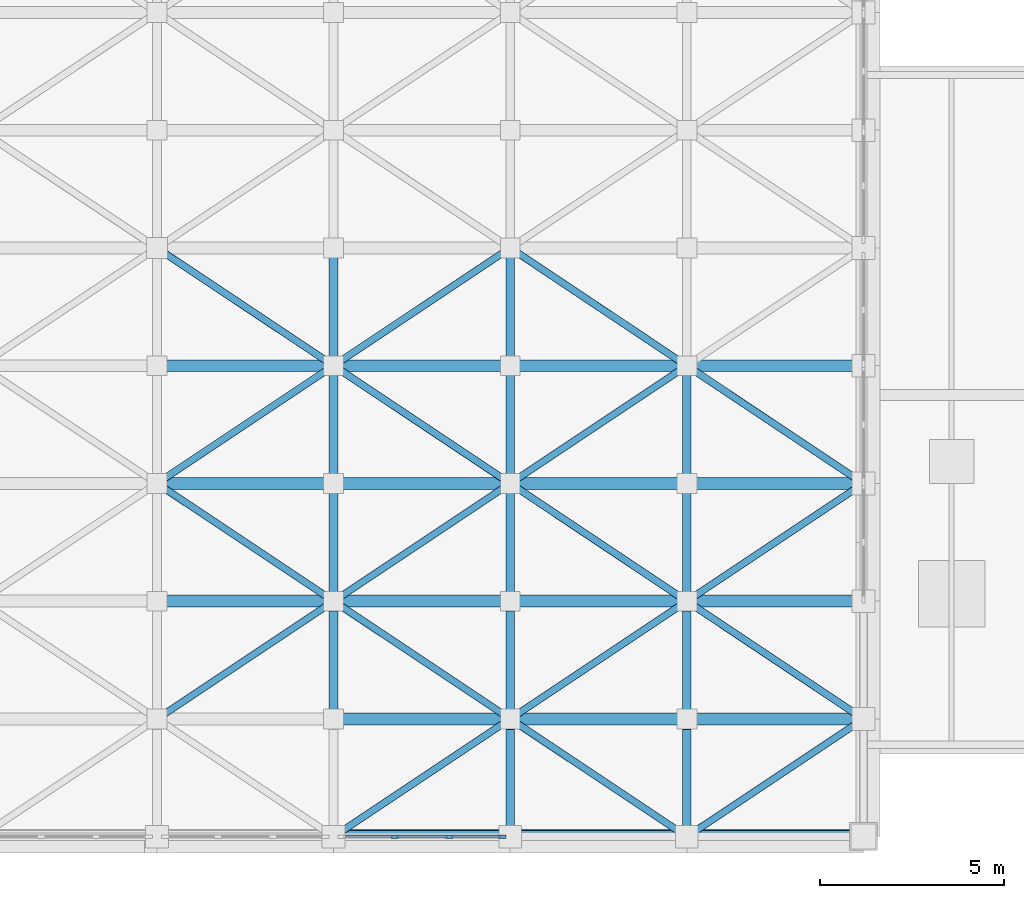
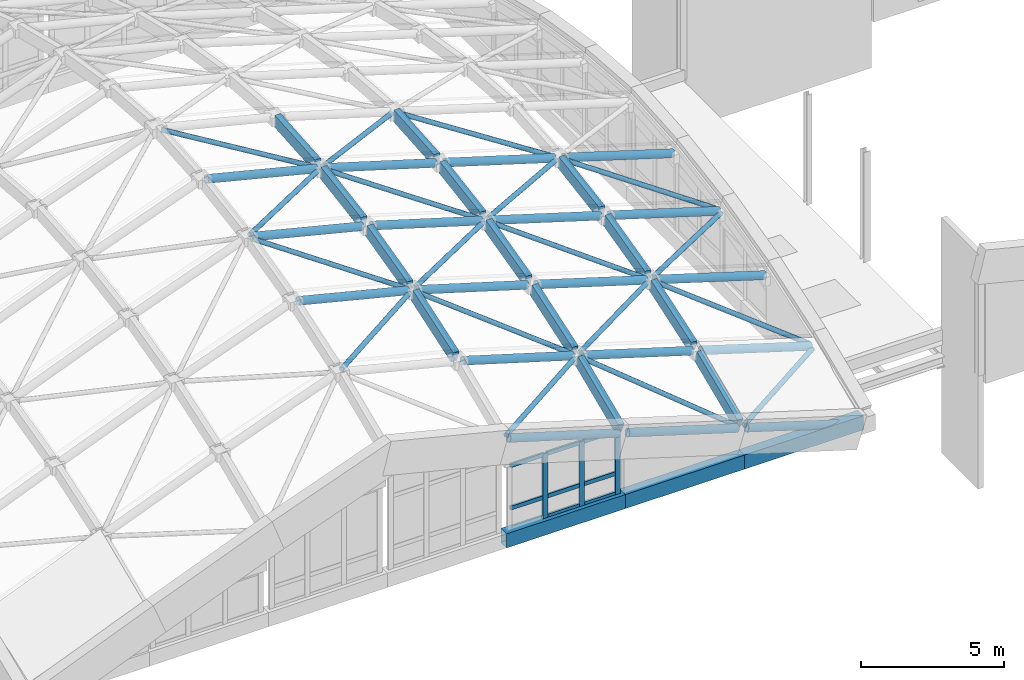
# One storey, part 4 of 14: 60 members, 3 beams, 1 element without a shape of its own.
"""IFC4 building model written with IfcOpenShell, lengths in metres."""

from ifc_helpers import new_model, si_unit, direction, frame, origin, origin_2d, place, context, subcontext, project, spatial, rectangle, hollow_rectangle, hollow_circle, extrude, material, material_profile, profile_set, type_object, element, aggregate, save


model = new_model("IFC4")

# Units and contexts
model_context = context("Model", 3, precision=1e-05, world=origin(), true_north=direction((0.0, 1.0)))
body_context = subcontext(model_context, "Body", "Model", "MODEL_VIEW")
ifc_project = project(units=[si_unit("LENGTHUNIT", "METRE"), si_unit("AREAUNIT", "SQUARE_METRE"), si_unit("VOLUMEUNIT", "CUBIC_METRE"), si_unit("PLANEANGLEUNIT", "RADIAN"), si_unit("MASSUNIT", "GRAM", prefix="KILO")], contexts=[model_context])

# Site, building, storey
site_placement = place(None, origin())
site = spatial("IfcSite", under=ifc_project, at=site_placement, CompositionType="ELEMENT")
building_placement = place(site_placement, origin())
building = spatial("IfcBuilding", under=site, at=building_placement, Name="Dunescarp Central Library", CompositionType="ELEMENT")
storey_placement = place(building_placement, frame((0.0, 0.0, 31.800048828125)))
storey = spatial("IfcBuildingStorey", under=building, at=storey_placement, Name="ROOF", CompositionType="ELEMENT", Elevation=31.800048828125)

# Curtain wall, members
ifc_material_1 = material(Name="Marine-grade anodised aluminium 6063-T6", Category="aluminium")
curtain_wall_type = type_object("IfcCurtainWallType", Name="ARC-CW-CROWN", PredefinedType="NOTDEFINED", material=ifc_material_1)
curtain_wall_placement = place(storey_placement, origin())
curtain_wall = element("IfcCurtainWall", 1, at=curtain_wall_placement, inside=storey, type_object=curtain_wall_type, Name="ROOF curtain wall CW-CROWN-S5", PredefinedType="NOTDEFINED")
ifc_material_profile_1 = material_profile(ifc_material_1, rectangle(XDim=0.090087890625, YDim=0.199951171875, at=origin_2d()), Name="AL 90x200")
ifc_profile_set_1 = profile_set([ifc_material_profile_1], Name="Marine-grade anodised aluminium 6063-T6")
member_type_1 = type_object("IfcMemberType", Name="ARC-CWM-200", PredefinedType="MULLION", material=ifc_profile_set_1)
member_1_placement = place(storey_placement, frame((23.780029296875, 4.800048828125, 0.0), z_axis=(0.0, 0.0, 1.0), x_axis=(0.0, -1.0, 0.0)))
member_1 = element("IfcMember", 2, at=member_1_placement, type_object=member_type_1, Name="CW-CROWN-S5 mullion 1", PredefinedType="MULLION", context=body_context, shape_type="SweptSolid", body=[
    extrude(rectangle(XDim=0.090087890625, YDim=0.199951171875, at=origin_2d()), origin(), (0.0, 0.0, 1.0), 2.75),
])
member_2_placement = place(storey_placement, frame((22.341552734375, 4.800048828125, 0.0), z_axis=(0.0, 0.0, 1.0), x_axis=(0.0, -1.0, 0.0)))
member_2 = element("IfcMember", 3, at=member_2_placement, type_object=member_type_1, Name="CW-CROWN-S5 mullion 2", PredefinedType="MULLION", context=body_context, shape_type="SweptSolid", body=[
    extrude(rectangle(XDim=0.090087890625, YDim=0.199951171875, at=origin_2d()), origin(), (0.0, 0.0, 1.0), 2.75),
])
member_3_placement = place(storey_placement, frame((20.8583984375, 4.800048828125, 0.0), z_axis=(0.0, 0.0, 1.0), x_axis=(0.0, -1.0, 0.0)))
member_3 = element("IfcMember", 4, at=member_3_placement, type_object=member_type_1, Name="CW-CROWN-S5 mullion 3", PredefinedType="MULLION", context=body_context, shape_type="SweptSolid", body=[
    extrude(rectangle(XDim=0.090087890625, YDim=0.199951171875, at=origin_2d()), origin(), (0.0, 0.0, 1.0), 2.75),
])
ifc_material_profile_2 = material_profile(ifc_material_1, rectangle(XDim=0.080078125, YDim=0.169921875, at=origin_2d()), Name="AL 80x170")
ifc_profile_set_2 = profile_set([ifc_material_profile_2], Name="Marine-grade anodised aluminium 6063-T6")
member_type_2 = type_object("IfcMemberType", Name="ARC-CWT-170", PredefinedType="USERDEFINED", material=ifc_profile_set_2)
member_4_placement = place(storey_placement, frame((23.735107421875, 4.800048828125, 0.0400390625), z_axis=(-1.0, 0.0, 0.0), x_axis=(0.0, -1.0, 0.0)))
member_4 = element("IfcMember", 5, at=member_4_placement, type_object=member_type_2, Name="CW-CROWN-S5 transom 1.1", ObjectType="TRANSOM", PredefinedType="USERDEFINED", context=body_context, shape_type="SweptSolid", body=[
    extrude(rectangle(XDim=0.080078125, YDim=0.169921875, at=origin_2d()), origin(), (0.0, 0.0, 1.0), 1.348388671875),
])
member_5_placement = place(storey_placement, frame((23.735107421875, 4.800048828125, 0.89990234375), z_axis=(-1.0, 0.0, 0.0), x_axis=(0.0, -1.0, 0.0)))
member_5 = element("IfcMember", 6, at=member_5_placement, type_object=member_type_2, Name="CW-CROWN-S5 transom 1.2", ObjectType="TRANSOM", PredefinedType="USERDEFINED", context=body_context, shape_type="SweptSolid", body=[
    extrude(rectangle(XDim=0.080078125, YDim=0.169921875, at=origin_2d()), origin(), (0.0, 0.0, 1.0), 1.348388671875),
])
member_6_placement = place(storey_placement, frame((23.735107421875, 4.800048828125, 2.7099609375), z_axis=(-1.0, 0.0, 0.0), x_axis=(0.0, -1.0, 0.0)))
member_6 = element("IfcMember", 7, at=member_6_placement, type_object=member_type_2, Name="CW-CROWN-S5 transom 1.3", ObjectType="TRANSOM", PredefinedType="USERDEFINED", context=body_context, shape_type="SweptSolid", body=[
    extrude(rectangle(XDim=0.080078125, YDim=0.169921875, at=origin_2d()), origin(), (0.0, 0.0, 1.0), 1.348388671875),
])
member_7_placement = place(storey_placement, frame((22.296630859375, 4.800048828125, 0.0400390625), z_axis=(-1.0, 0.0, 0.0), x_axis=(0.0, -1.0, 0.0)))
member_7 = element("IfcMember", 8, at=member_7_placement, type_object=member_type_2, Name="CW-CROWN-S5 transom 2.1", ObjectType="TRANSOM", PredefinedType="USERDEFINED", context=body_context, shape_type="SweptSolid", body=[
    extrude(rectangle(XDim=0.080078125, YDim=0.169921875, at=origin_2d()), origin(), (0.0, 0.0, 1.0), 1.393310546875),
])
member_8_placement = place(storey_placement, frame((22.296630859375, 4.800048828125, 0.89990234375), z_axis=(-1.0, 0.0, 0.0), x_axis=(0.0, -1.0, 0.0)))
member_8 = element("IfcMember", 9, at=member_8_placement, type_object=member_type_2, Name="CW-CROWN-S5 transom 2.2", ObjectType="TRANSOM", PredefinedType="USERDEFINED", context=body_context, shape_type="SweptSolid", body=[
    extrude(rectangle(XDim=0.080078125, YDim=0.169921875, at=origin_2d()), origin(), (0.0, 0.0, 1.0), 1.393310546875),
])
member_9_placement = place(storey_placement, frame((22.296630859375, 4.800048828125, 2.7099609375), z_axis=(-1.0, 0.0, 0.0), x_axis=(0.0, -1.0, 0.0)))
member_9 = element("IfcMember", 10, at=member_9_placement, type_object=member_type_2, Name="CW-CROWN-S5 transom 2.3", ObjectType="TRANSOM", PredefinedType="USERDEFINED", context=body_context, shape_type="SweptSolid", body=[
    extrude(rectangle(XDim=0.080078125, YDim=0.169921875, at=origin_2d()), origin(), (0.0, 0.0, 1.0), 1.393310546875),
])
member_10_placement = place(storey_placement, frame((20.813232421875, 4.800048828125, 0.89990234375), z_axis=(-1.0, 0.0, 0.0), x_axis=(0.0, -1.0, 0.0)))
member_10 = element("IfcMember", 11, at=member_10_placement, type_object=member_type_2, Name="CW-CROWN-S5 transom 3.2", ObjectType="TRANSOM", PredefinedType="USERDEFINED", context=body_context, shape_type="SweptSolid", body=[
    extrude(rectangle(XDim=0.080078125, YDim=0.169921875, at=origin_2d()), origin(), (0.0, 0.0, 1.0), 1.34814453125),
])
member_11_placement = place(storey_placement, frame((20.813232421875, 4.800048828125, 2.7099609375), z_axis=(-1.0, 0.0, 0.0), x_axis=(0.0, -1.0, 0.0)))
member_11 = element("IfcMember", 12, at=member_11_placement, type_object=member_type_2, Name="CW-CROWN-S5 transom 3.3", ObjectType="TRANSOM", PredefinedType="USERDEFINED", context=body_context, shape_type="SweptSolid", body=[
    extrude(rectangle(XDim=0.080078125, YDim=0.169921875, at=origin_2d()), origin(), (0.0, 0.0, 1.0), 1.34814453125),
])
aggregate(curtain_wall, [member_1, member_2, member_3, member_4, member_5, member_6, member_7, member_8, member_9, member_10, member_11])

# Members
ifc_material_2 = material(Name="Steel S355J0", Category="steel")
ifc_material_profile_3 = material_profile(ifc_material_2, hollow_circle(Radius=0.161865234375, WallThickness=0.012451171875, at=origin_2d()), Name="CHS 323.9x12.5")
ifc_profile_set_3 = profile_set([ifc_material_profile_3], Name="Steel S355J0")
member_type_3 = type_object("IfcMemberType", Name="STR-GS-ARCH", PredefinedType="USERDEFINED", material=ifc_profile_set_3)
member_12_placement = place(storey_placement, frame((19.39111328125, 4.800048828125, 3.90185546875), z_axis=(0.957312244465, 0.0, -0.289055819173), x_axis=(0.0, 1.0, 0.0)))
element("IfcMember", 13, at=member_12_placement, inside=storey, type_object=member_type_3, Name="Gridshell arch rib GS-A-400", ObjectType="ARCH_SEGMENT", PredefinedType="USERDEFINED", context=body_context, shape_type="SweptSolid", body=[
    extrude(hollow_circle(Radius=0.161865234375, WallThickness=0.012451171875, at=origin_2d()), origin(), (0.0, 0.0, 1.0), 4.614990234375),
])
member_13_placement = place(storey_placement, frame((24.19091796875, 4.800048828125, 2.450927734375), z_axis=(0.956223495748, 0.0, -0.292637362923), x_axis=(0.0, 1.0, 0.0)))
element("IfcMember", 14, at=member_13_placement, inside=storey, type_object=member_type_3, Name="Gridshell arch rib GS-A-500", ObjectType="ARCH_SEGMENT", PredefinedType="USERDEFINED", context=body_context, shape_type="SweptSolid", body=[
    extrude(hollow_circle(Radius=0.161865234375, WallThickness=0.012451171875, at=origin_2d()), origin(), (0.0, 0.0, 1.0), 4.6201171875),
])
member_14_placement = place(storey_placement, frame((28.990966796875, 4.800048828125, 0.98095703125), z_axis=(0.955615584441, 0.0, -0.294616453669), x_axis=(0.0, 1.0, 0.0)))
element("IfcMember", 15, at=member_14_placement, inside=storey, type_object=member_type_3, Name="Gridshell arch rib GS-A-600", ObjectType="ARCH_SEGMENT", PredefinedType="USERDEFINED", context=body_context, shape_type="SweptSolid", body=[
    extrude(hollow_circle(Radius=0.161865234375, WallThickness=0.012451171875, at=origin_2d()), origin(), (0.0, 0.0, 1.0), 4.623046875),
])
member_15_placement = place(storey_placement, frame((19.39111328125, 8.0, 5.261962890625), z_axis=(0.957312244465, 0.0, -0.289055819173), x_axis=(0.0, 1.0, 0.0)))
element("IfcMember", 16, at=member_15_placement, inside=storey, type_object=member_type_3, Name="Gridshell arch rib GS-A-401", ObjectType="ARCH_SEGMENT", PredefinedType="USERDEFINED", context=body_context, shape_type="SweptSolid", body=[
    extrude(hollow_circle(Radius=0.161865234375, WallThickness=0.012451171875, at=origin_2d()), origin(), (0.0, 0.0, 1.0), 4.614990234375),
])
member_16_placement = place(storey_placement, frame((24.19091796875, 8.0, 3.81103515625), z_axis=(0.956223495748, 0.0, -0.292637362923), x_axis=(0.0, 1.0, 0.0)))
element("IfcMember", 17, at=member_16_placement, inside=storey, type_object=member_type_3, Name="Gridshell arch rib GS-A-501", ObjectType="ARCH_SEGMENT", PredefinedType="USERDEFINED", context=body_context, shape_type="SweptSolid", body=[
    extrude(hollow_circle(Radius=0.161865234375, WallThickness=0.012451171875, at=origin_2d()), origin(), (0.0, 0.0, 1.0), 4.6201171875),
])
member_17_placement = place(storey_placement, frame((28.990966796875, 8.0, 2.341064453125), z_axis=(0.955615584441, 0.0, -0.294616453669), x_axis=(0.0, 1.0, 0.0)))
element("IfcMember", 18, at=member_17_placement, inside=storey, type_object=member_type_3, Name="Gridshell arch rib GS-A-601", ObjectType="ARCH_SEGMENT", PredefinedType="USERDEFINED", context=body_context, shape_type="SweptSolid", body=[
    extrude(hollow_circle(Radius=0.161865234375, WallThickness=0.012451171875, at=origin_2d()), origin(), (0.0, 0.0, 1.0), 4.623046875),
])
member_18_placement = place(storey_placement, frame((14.593994140625, 11.199951171875, 7.551025390625), z_axis=(0.970193006031, 0.0, -0.24233351202), x_axis=(0.0, 1.0, 0.0)))
element("IfcMember", 19, at=member_18_placement, inside=storey, type_object=member_type_3, Name="Gridshell arch rib GS-A-302", ObjectType="ARCH_SEGMENT", PredefinedType="USERDEFINED", context=body_context, shape_type="SweptSolid", body=[
    extrude(hollow_circle(Radius=0.161865234375, WallThickness=0.012451171875, at=origin_2d()), origin(), (0.0, 0.0, 1.0), 4.547607421875),
])
member_19_placement = place(storey_placement, frame((19.39111328125, 11.199951171875, 6.342041015625), z_axis=(0.957312244465, 0.0, -0.289055819173), x_axis=(0.0, 1.0, 0.0)))
element("IfcMember", 20, at=member_19_placement, inside=storey, type_object=member_type_3, Name="Gridshell arch rib GS-A-402", ObjectType="ARCH_SEGMENT", PredefinedType="USERDEFINED", context=body_context, shape_type="SweptSolid", body=[
    extrude(hollow_circle(Radius=0.161865234375, WallThickness=0.012451171875, at=origin_2d()), origin(), (0.0, 0.0, 1.0), 4.614990234375),
])
member_20_placement = place(storey_placement, frame((24.19091796875, 11.199951171875, 4.890869140625), z_axis=(0.956238281278, 0.0, -0.292589045283), x_axis=(0.0, 1.0, 0.0)))
element("IfcMember", 21, at=member_20_placement, inside=storey, type_object=member_type_3, Name="Gridshell arch rib GS-A-502", ObjectType="ARCH_SEGMENT", PredefinedType="USERDEFINED", context=body_context, shape_type="SweptSolid", body=[
    extrude(hollow_circle(Radius=0.161865234375, WallThickness=0.012451171875, at=origin_2d()), origin(), (0.0, 0.0, 1.0), 4.6201171875),
])
member_21_placement = place(storey_placement, frame((28.990966796875, 11.199951171875, 3.4208984375), z_axis=(0.955615584441, 0.0, -0.294616453669), x_axis=(0.0, 1.0, 0.0)))
element("IfcMember", 22, at=member_21_placement, inside=storey, type_object=member_type_3, Name="Gridshell arch rib GS-A-602", ObjectType="ARCH_SEGMENT", PredefinedType="USERDEFINED", context=body_context, shape_type="SweptSolid", body=[
    extrude(hollow_circle(Radius=0.161865234375, WallThickness=0.012451171875, at=origin_2d()), origin(), (0.0, 0.0, 1.0), 4.623046875),
])
member_22_placement = place(storey_placement, frame((14.593994140625, 14.39990234375, 8.350830078125), z_axis=(0.970205626745, 0.0, -0.242282978835), x_axis=(0.0, 1.0, 0.0)))
element("IfcMember", 23, at=member_22_placement, inside=storey, type_object=member_type_3, Name="Gridshell arch rib GS-A-303", ObjectType="ARCH_SEGMENT", PredefinedType="USERDEFINED", context=body_context, shape_type="SweptSolid", body=[
    extrude(hollow_circle(Radius=0.161865234375, WallThickness=0.012451171875, at=origin_2d()), origin(), (0.0, 0.0, 1.0), 4.547607421875),
])
member_23_placement = place(storey_placement, frame((19.39111328125, 14.39990234375, 7.141845703125), z_axis=(0.957312244465, 0.0, -0.289055819173), x_axis=(0.0, 1.0, 0.0)))
element("IfcMember", 24, at=member_23_placement, inside=storey, type_object=member_type_3, Name="Gridshell arch rib GS-A-403", ObjectType="ARCH_SEGMENT", PredefinedType="USERDEFINED", context=body_context, shape_type="SweptSolid", body=[
    extrude(hollow_circle(Radius=0.161865234375, WallThickness=0.012451171875, at=origin_2d()), origin(), (0.0, 0.0, 1.0), 4.614990234375),
])
member_24_placement = place(storey_placement, frame((24.19091796875, 14.39990234375, 5.69091796875), z_axis=(0.956223495748, 0.0, -0.292637362923), x_axis=(0.0, 1.0, 0.0)))
element("IfcMember", 25, at=member_24_placement, inside=storey, type_object=member_type_3, Name="Gridshell arch rib GS-A-503", ObjectType="ARCH_SEGMENT", PredefinedType="USERDEFINED", context=body_context, shape_type="SweptSolid", body=[
    extrude(hollow_circle(Radius=0.161865234375, WallThickness=0.012451171875, at=origin_2d()), origin(), (0.0, 0.0, 1.0), 4.6201171875),
])
member_25_placement = place(storey_placement, frame((28.990966796875, 14.39990234375, 4.220947265625), z_axis=(0.955615584441, 0.0, -0.294616453669), x_axis=(0.0, 1.0, 0.0)))
element("IfcMember", 26, at=member_25_placement, inside=storey, type_object=member_type_3, Name="Gridshell arch rib GS-A-603", ObjectType="ARCH_SEGMENT", PredefinedType="USERDEFINED", context=body_context, shape_type="SweptSolid", body=[
    extrude(hollow_circle(Radius=0.161865234375, WallThickness=0.012451171875, at=origin_2d()), origin(), (0.0, 0.0, 1.0), 4.623046875),
])
member_26_placement = place(storey_placement, frame((14.593994140625, 17.60009765625, 8.870849609375), z_axis=(0.970205626745, 0.0, -0.242282978835), x_axis=(0.0, 1.0, 0.0)))
element("IfcMember", 27, at=member_26_placement, inside=storey, type_object=member_type_3, Name="Gridshell arch rib GS-A-304", ObjectType="ARCH_SEGMENT", PredefinedType="USERDEFINED", context=body_context, shape_type="SweptSolid", body=[
    extrude(hollow_circle(Radius=0.161865234375, WallThickness=0.012451171875, at=origin_2d()), origin(), (0.0, 0.0, 1.0), 4.547607421875),
])
member_27_placement = place(storey_placement, frame((19.39111328125, 17.60009765625, 7.661865234375), z_axis=(0.957312244465, 0.0, -0.289055819173), x_axis=(0.0, 1.0, 0.0)))
element("IfcMember", 28, at=member_27_placement, inside=storey, type_object=member_type_3, Name="Gridshell arch rib GS-A-404", ObjectType="ARCH_SEGMENT", PredefinedType="USERDEFINED", context=body_context, shape_type="SweptSolid", body=[
    extrude(hollow_circle(Radius=0.161865234375, WallThickness=0.012451171875, at=origin_2d()), origin(), (0.0, 0.0, 1.0), 4.614990234375),
])
member_28_placement = place(storey_placement, frame((24.19091796875, 17.60009765625, 6.2109375), z_axis=(0.956223495748, 0.0, -0.292637362923), x_axis=(0.0, 1.0, 0.0)))
element("IfcMember", 29, at=member_28_placement, inside=storey, type_object=member_type_3, Name="Gridshell arch rib GS-A-504", ObjectType="ARCH_SEGMENT", PredefinedType="USERDEFINED", context=body_context, shape_type="SweptSolid", body=[
    extrude(hollow_circle(Radius=0.161865234375, WallThickness=0.012451171875, at=origin_2d()), origin(), (0.0, 0.0, 1.0), 4.6201171875),
])
member_29_placement = place(storey_placement, frame((28.990966796875, 17.60009765625, 4.740966796875), z_axis=(0.955615584441, 0.0, -0.294616453669), x_axis=(0.0, 1.0, 0.0)))
element("IfcMember", 30, at=member_29_placement, inside=storey, type_object=member_type_3, Name="Gridshell arch rib GS-A-604", ObjectType="ARCH_SEGMENT", PredefinedType="USERDEFINED", context=body_context, shape_type="SweptSolid", body=[
    extrude(hollow_circle(Radius=0.161865234375, WallThickness=0.012451171875, at=origin_2d()), origin(), (0.0, 0.0, 1.0), 4.623046875),
])
ifc_material_profile_4 = material_profile(ifc_material_2, hollow_circle(Radius=0.096923828125, WallThickness=0.008056640625, at=origin_2d()), Name="CHS 193.7x8")
ifc_profile_set_4 = profile_set([ifc_material_profile_4], Name="Steel S355J0")
member_type_4 = type_object("IfcMemberType", Name="STR-GS-DIAG", PredefinedType="BRACE", material=ifc_profile_set_4)
member_30_placement = place(storey_placement, frame((14.56591796875, 8.111083984375, 6.515869140625), z_axis=(0.831925887891, 0.554496037402, -0.020819739722), x_axis=(-0.554616252844, 0.832106250476, 0.0)))
element("IfcMember", 31, at=member_30_placement, inside=storey, type_object=member_type_4, Name="Gridshell diagonal GS-D-301", PredefinedType="BRACE", context=body_context, shape_type="SweptSolid", body=[
    extrude(hollow_circle(Radius=0.096923828125, WallThickness=0.008056640625, at=origin_2d()), origin(), (0.0, 0.0, 1.0), 5.37060546875),
])
member_31_placement = place(storey_placement, frame((19.04296875, 11.304931640625, 6.466064453125), z_axis=(-0.786256858445, 0.524042870497, 0.327382379535), x_axis=(-0.554606139094, -0.832112991414, 0.0)))
element("IfcMember", 32, at=member_31_placement, inside=storey, type_object=member_type_4, Name="Gridshell diagonal GS-D-302", PredefinedType="BRACE", context=body_context, shape_type="SweptSolid", body=[
    extrude(hollow_circle(Radius=0.096923828125, WallThickness=0.008056640625, at=origin_2d()), origin(), (0.0, 0.0, 1.0), 5.70556640625),
])
member_32_placement = place(storey_placement, frame((14.56494140625, 14.510009765625, 8.376953125), z_axis=(0.826315402945, 0.550876935296, -0.117206898326), x_axis=(-0.554700196225, 0.832050294338, 0.0)))
element("IfcMember", 33, at=member_32_placement, inside=storey, type_object=member_type_4, Name="Gridshell diagonal GS-D-303", PredefinedType="BRACE", context=body_context, shape_type="SweptSolid", body=[
    extrude(hollow_circle(Radius=0.096923828125, WallThickness=0.008056640625, at=origin_2d()), origin(), (0.0, 0.0, 1.0), 5.409423828125),
])
member_33_placement = place(storey_placement, frame((19.0390625, 17.7080078125, 7.76806640625), z_axis=(-0.807374477608, 0.537985544942, 0.242317986001), x_axis=(-0.554511722138, -0.8321759129, 0.0)))
element("IfcMember", 34, at=member_33_placement, inside=storey, type_object=member_type_4, Name="Gridshell diagonal GS-D-304", PredefinedType="BRACE", context=body_context, shape_type="SweptSolid", body=[
    extrude(hollow_circle(Radius=0.096923828125, WallThickness=0.008056640625, at=origin_2d()), origin(), (0.0, 0.0, 1.0), 5.54638671875),
])
member_34_placement = place(storey_placement, frame((19.365966796875, 4.910888671875, 3.95703125), z_axis=(0.832004486533, 0.554548425044, -0.015639011167), x_axis=(-0.554616252844, 0.832106250476, 0.0)))
element("IfcMember", 35, at=member_34_placement, inside=storey, type_object=member_type_4, Name="Gridshell diagonal GS-D-400", PredefinedType="BRACE", context=body_context, shape_type="SweptSolid", body=[
    extrude(hollow_circle(Radius=0.096923828125, WallThickness=0.008056640625, at=origin_2d()), origin(), (0.0, 0.0, 1.0), 5.3701171875),
])
member_35_placement = place(storey_placement, frame((23.847900390625, 8.10205078125, 3.949951171875), z_axis=(-0.762060577978, 0.507805883919, 0.401742280261), x_axis=(-0.554522900935, -0.832168463917, 0.0)))
element("IfcMember", 36, at=member_35_placement, inside=storey, type_object=member_type_4, Name="Gridshell diagonal GS-D-401", PredefinedType="BRACE", context=body_context, shape_type="SweptSolid", body=[
    extrude(hollow_circle(Radius=0.096923828125, WallThickness=0.008056640625, at=origin_2d()), origin(), (0.0, 0.0, 1.0), 5.899658203125),
])
member_36_placement = place(storey_placement, frame((19.364990234375, 11.31005859375, 6.3779296875), z_axis=(0.826807376858, 0.551204917906, -0.112083451273), x_axis=(-0.554700196225, 0.832050294338, 0.0)))
element("IfcMember", 37, at=member_36_placement, inside=storey, type_object=member_type_4, Name="Gridshell diagonal GS-D-402", PredefinedType="BRACE", context=body_context, shape_type="SweptSolid", body=[
    extrude(hollow_circle(Radius=0.096923828125, WallThickness=0.008056640625, at=origin_2d()), origin(), (0.0, 0.0, 1.0), 5.40625),
])
member_37_placement = place(storey_placement, frame((23.843017578125, 14.5048828125, 5.81494140625), z_axis=(-0.787488390096, 0.524906547042, 0.3230095236), x_axis=(-0.554637493833, -0.83209209252, 0.0)))
element("IfcMember", 38, at=member_37_placement, inside=storey, type_object=member_type_4, Name="Gridshell diagonal GS-D-403", PredefinedType="BRACE", context=body_context, shape_type="SweptSolid", body=[
    extrude(hollow_circle(Radius=0.096923828125, WallThickness=0.008056640625, at=origin_2d()), origin(), (0.0, 0.0, 1.0), 5.69677734375),
])
member_38_placement = place(storey_placement, frame((19.363037109375, 17.708984375, 7.678955078125), z_axis=(0.814378636462, 0.542800582033, -0.20531674218), x_axis=(-0.554616362795, 0.832106177191, 0.0)))
element("IfcMember", 39, at=member_38_placement, inside=storey, type_object=member_type_4, Name="Gridshell diagonal GS-D-404", PredefinedType="BRACE", context=body_context, shape_type="SweptSolid", body=[
    extrude(hollow_circle(Radius=0.096923828125, WallThickness=0.008056640625, at=origin_2d()), origin(), (0.0, 0.0, 1.0), 5.49365234375),
])
member_39_placement = place(storey_placement, frame((28.65087890625, 4.89990234375, 1.1279296875), z_axis=(-0.747099435622, 0.497850209595, 0.440440236695), x_axis=(-0.554533558432, -0.8321613621, 0.0)))
element("IfcMember", 40, at=member_39_placement, inside=storey, type_object=member_type_4, Name="Gridshell diagonal GS-D-500", PredefinedType="BRACE", context=body_context, shape_type="SweptSolid", body=[
    extrude(hollow_circle(Radius=0.096923828125, WallThickness=0.008056640625, at=origin_2d()), origin(), (0.0, 0.0, 1.0), 6.02587890625),
])
member_40_placement = place(storey_placement, frame((24.166015625, 8.111083984375, 3.85693359375), z_axis=(0.830200709944, 0.553346170149, -0.067637247064), x_axis=(-0.554616252844, 0.832106250476, 0.0)))
element("IfcMember", 41, at=member_40_placement, inside=storey, type_object=member_type_4, Name="Gridshell diagonal GS-D-501", PredefinedType="BRACE", context=body_context, shape_type="SweptSolid", body=[
    extrude(hollow_circle(Radius=0.096923828125, WallThickness=0.008056640625, at=origin_2d()), origin(), (0.0, 0.0, 1.0), 5.3818359375),
])
member_41_placement = place(storey_placement, frame((28.64501953125, 11.302978515625, 3.552978515625), z_axis=(-0.774178064751, 0.516259028117, 0.366230719555), x_axis=(-0.554804588327, -0.831980690143, 0.0)))
element("IfcMember", 42, at=member_41_placement, inside=storey, type_object=member_type_4, Name="Gridshell diagonal GS-D-502", PredefinedType="BRACE", context=body_context, shape_type="SweptSolid", body=[
    extrude(hollow_circle(Radius=0.096923828125, WallThickness=0.008056640625, at=origin_2d()), origin(), (0.0, 0.0, 1.0), 5.7998046875),
])
member_42_placement = place(storey_placement, frame((24.1640625, 14.509033203125, 5.718017578125), z_axis=(0.820916558249, 0.547397218019, -0.162641600147), x_axis=(-0.554784049369, 0.831994386138, 0.0)))
element("IfcMember", 43, at=member_42_placement, inside=storey, type_object=member_type_4, Name="Gridshell diagonal GS-D-503", PredefinedType="BRACE", context=body_context, shape_type="SweptSolid", body=[
    extrude(hollow_circle(Radius=0.096923828125, WallThickness=0.008056640625, at=origin_2d()), origin(), (0.0, 0.0, 1.0), 5.447509765625),
])
member_43_placement = place(storey_placement, frame((28.639892578125, 17.7060546875, 4.85693359375), z_axis=(-0.797639146167, 0.532005749861, 0.284150795558), x_axis=(-0.55487804361, -0.831931701956, 0.0)))
element("IfcMember", 44, at=member_43_placement, inside=storey, type_object=member_type_4, Name="Gridshell diagonal GS-D-504", PredefinedType="BRACE", context=body_context, shape_type="SweptSolid", body=[
    extrude(hollow_circle(Radius=0.096923828125, WallThickness=0.008056640625, at=origin_2d()), origin(), (0.0, 0.0, 1.0), 5.616455078125),
])
member_44_placement = place(storey_placement, frame((28.966064453125, 4.910888671875, 1.035888671875), z_axis=(0.831925887891, 0.554496037402, -0.020819739722), x_axis=(-0.554616252844, 0.832106250476, 0.0)))
element("IfcMember", 45, at=member_44_placement, inside=storey, type_object=member_type_4, Name="Gridshell diagonal GS-D-600", PredefinedType="BRACE", context=body_context, shape_type="SweptSolid", body=[
    extrude(hollow_circle(Radius=0.096923828125, WallThickness=0.008056640625, at=origin_2d()), origin(), (0.0, 0.0, 1.0), 5.37060546875),
])
member_45_placement = place(storey_placement, frame((33.447998046875, 8.10107421875, 1.0009765625), z_axis=(-0.760486025427, 0.507100803228, 0.405598052875), x_axis=(-0.55478359864, -0.83199468669, 0.0)))
element("IfcMember", 46, at=member_45_placement, inside=storey, type_object=member_type_4, Name="Gridshell diagonal GS-D-601", PredefinedType="BRACE", context=body_context, shape_type="SweptSolid", body=[
    extrude(hollow_circle(Radius=0.096923828125, WallThickness=0.008056640625, at=origin_2d()), origin(), (0.0, 0.0, 1.0), 5.912109375),
])
member_46_placement = place(storey_placement, frame((28.965087890625, 11.31005859375, 3.45703125), z_axis=(0.826315402945, 0.550876935296, -0.117206898326), x_axis=(-0.554700196225, 0.832050294338, 0.0)))
element("IfcMember", 47, at=member_46_placement, inside=storey, type_object=member_type_4, Name="Gridshell diagonal GS-D-602", PredefinedType="BRACE", context=body_context, shape_type="SweptSolid", body=[
    extrude(hollow_circle(Radius=0.096923828125, WallThickness=0.008056640625, at=origin_2d()), origin(), (0.0, 0.0, 1.0), 5.409423828125),
])
member_47_placement = place(storey_placement, frame((33.443115234375, 14.5048828125, 2.865966796875), z_axis=(-0.786239227667, 0.524073908052, 0.327375038415), x_axis=(-0.554637493833, -0.83209209252, 0.0)))
element("IfcMember", 48, at=member_47_placement, inside=storey, type_object=member_type_4, Name="Gridshell diagonal GS-D-603", PredefinedType="BRACE", context=body_context, shape_type="SweptSolid", body=[
    extrude(hollow_circle(Radius=0.096923828125, WallThickness=0.008056640625, at=origin_2d()), origin(), (0.0, 0.0, 1.0), 5.705810546875),
])
ifc_material_3 = material(Name="Glulam GL28h", Category="wood")
ifc_material_profile_5 = material_profile(ifc_material_3, rectangle(XDim=0.239990234375, YDim=0.52001953125, at=origin_2d()), Name="GL28h 240x520")
ifc_profile_set_5 = profile_set([ifc_material_profile_5], Name="Glulam GL28h")
member_type_5 = type_object("IfcMemberType", Name="STR-GS-GLULAM", PredefinedType="CHORD", material=ifc_profile_set_5)
member_48_placement = place(storey_placement, frame((19.199951171875, 8.18896484375, 5.384033203125), z_axis=(0.0, 0.94754597638, 0.319619496661), x_axis=(-1.0, 0.0, 0.0)))
element("IfcMember", 49, at=member_48_placement, inside=storey, type_object=member_type_5, Name="Gridshell glulam rib GS-T-401", PredefinedType="CHORD", context=body_context, shape_type="SweptSolid", body=[
    extrude(rectangle(XDim=0.239990234375, YDim=0.52001953125, at=origin_2d()), origin(), (0.0, 0.0, 1.0), 2.978271484375),
])
member_49_placement = place(storey_placement, frame((19.199951171875, 11.39404296875, 6.448974609375), z_axis=(0.0, 0.970231625732, 0.242178843895), x_axis=(-1.0, 0.0, 0.0)))
element("IfcMember", 50, at=member_49_placement, inside=storey, type_object=member_type_5, Name="Gridshell glulam rib GS-T-402", PredefinedType="CHORD", context=body_context, shape_type="SweptSolid", body=[
    extrude(rectangle(XDim=0.239990234375, YDim=0.52001953125, at=origin_2d()), origin(), (0.0, 0.0, 1.0), 2.898193359375),
])
member_50_placement = place(storey_placement, frame((19.199951171875, 14.596923828125, 7.23193359375), z_axis=(0.0, 0.98704967541, 0.160414894177), x_axis=(-1.0, 0.0, 0.0)))
element("IfcMember", 51, at=member_50_placement, inside=storey, type_object=member_type_5, Name="Gridshell glulam rib GS-T-403", PredefinedType="CHORD", context=body_context, shape_type="SweptSolid", body=[
    extrude(rectangle(XDim=0.239990234375, YDim=0.52001953125, at=origin_2d()), origin(), (0.0, 0.0, 1.0), 2.843017578125),
])
member_51_placement = place(storey_placement, frame((19.199951171875, 17.799072265625, 7.73486328125), z_axis=(0.0, 0.997197851688, 0.074809388368), x_axis=(-1.0, 0.0, 0.0)))
element("IfcMember", 52, at=member_51_placement, inside=storey, type_object=member_type_5, Name="Gridshell glulam rib GS-T-404", PredefinedType="CHORD", context=body_context, shape_type="SweptSolid", body=[
    extrude(rectangle(XDim=0.239990234375, YDim=0.52001953125, at=origin_2d()), origin(), (0.0, 0.0, 1.0), 2.809814453125),
])
member_52_placement = place(storey_placement, frame((24.0, 4.98388671875, 2.587890625), z_axis=(0.0, 0.920273791564, 0.39127502931), x_axis=(-1.0, 0.0, 0.0)))
element("IfcMember", 53, at=member_52_placement, inside=storey, type_object=member_type_5, Name="Gridshell glulam rib GS-T-500", PredefinedType="CHORD", context=body_context, shape_type="SweptSolid", body=[
    extrude(rectangle(XDim=0.239990234375, YDim=0.52001953125, at=origin_2d()), origin(), (0.0, 0.0, 1.0), 3.077392578125),
])
member_53_placement = place(storey_placement, frame((24.0, 8.18896484375, 3.933837890625), z_axis=(0.0, 0.947521147782, 0.319693094242), x_axis=(-1.0, 0.0, 0.0)))
element("IfcMember", 54, at=member_53_placement, inside=storey, type_object=member_type_5, Name="Gridshell glulam rib GS-T-501", PredefinedType="CHORD", context=body_context, shape_type="SweptSolid", body=[
    extrude(rectangle(XDim=0.239990234375, YDim=0.52001953125, at=origin_2d()), origin(), (0.0, 0.0, 1.0), 2.978271484375),
])
member_54_placement = place(storey_placement, frame((24.0, 11.39404296875, 4.9990234375), z_axis=(0.0, 0.970231625732, 0.242178843895), x_axis=(-1.0, 0.0, 0.0)))
element("IfcMember", 55, at=member_54_placement, inside=storey, type_object=member_type_5, Name="Gridshell glulam rib GS-T-502", PredefinedType="CHORD", context=body_context, shape_type="SweptSolid", body=[
    extrude(rectangle(XDim=0.239990234375, YDim=0.52001953125, at=origin_2d()), origin(), (0.0, 0.0, 1.0), 2.898193359375),
])
member_55_placement = place(storey_placement, frame((24.0, 14.596923828125, 5.781982421875), z_axis=(0.0, 0.98704967541, 0.160414894177), x_axis=(-1.0, 0.0, 0.0)))
element("IfcMember", 56, at=member_55_placement, inside=storey, type_object=member_type_5, Name="Gridshell glulam rib GS-T-503", PredefinedType="CHORD", context=body_context, shape_type="SweptSolid", body=[
    extrude(rectangle(XDim=0.239990234375, YDim=0.52001953125, at=origin_2d()), origin(), (0.0, 0.0, 1.0), 2.843017578125),
])
member_56_placement = place(storey_placement, frame((24.0, 17.799072265625, 6.284912109375), z_axis=(0.0, 0.997204329709, 0.074722987153), x_axis=(-1.0, 0.0, 0.0)))
element("IfcMember", 57, at=member_56_placement, inside=storey, type_object=member_type_5, Name="Gridshell glulam rib GS-T-504", PredefinedType="CHORD", context=body_context, shape_type="SweptSolid", body=[
    extrude(rectangle(XDim=0.239990234375, YDim=0.52001953125, at=origin_2d()), origin(), (0.0, 0.0, 1.0), 2.809814453125),
])
member_57_placement = place(storey_placement, frame((28.800048828125, 4.98388671875, 1.117919921875), z_axis=(0.0, 0.920273791564, 0.39127502931), x_axis=(-1.0, 0.0, 0.0)))
element("IfcMember", 58, at=member_57_placement, inside=storey, type_object=member_type_5, Name="Gridshell glulam rib GS-T-600", PredefinedType="CHORD", context=body_context, shape_type="SweptSolid", body=[
    extrude(rectangle(XDim=0.239990234375, YDim=0.52001953125, at=origin_2d()), origin(), (0.0, 0.0, 1.0), 3.077392578125),
])
member_58_placement = place(storey_placement, frame((28.800048828125, 8.18896484375, 2.4638671875), z_axis=(0.0, 0.947521147782, 0.319693094242), x_axis=(-1.0, 0.0, 0.0)))
element("IfcMember", 59, at=member_58_placement, inside=storey, type_object=member_type_5, Name="Gridshell glulam rib GS-T-601", PredefinedType="CHORD", context=body_context, shape_type="SweptSolid", body=[
    extrude(rectangle(XDim=0.239990234375, YDim=0.52001953125, at=origin_2d()), origin(), (0.0, 0.0, 1.0), 2.978271484375),
])
member_59_placement = place(storey_placement, frame((28.800048828125, 11.39404296875, 3.529052734375), z_axis=(0.0, 0.970231625732, 0.242178843895), x_axis=(-1.0, 0.0, 0.0)))
element("IfcMember", 60, at=member_59_placement, inside=storey, type_object=member_type_5, Name="Gridshell glulam rib GS-T-602", PredefinedType="CHORD", context=body_context, shape_type="SweptSolid", body=[
    extrude(rectangle(XDim=0.239990234375, YDim=0.52001953125, at=origin_2d()), origin(), (0.0, 0.0, 1.0), 2.898193359375),
])
member_60_placement = place(storey_placement, frame((28.800048828125, 14.596923828125, 4.31201171875), z_axis=(0.0, 0.98704967541, 0.160414894177), x_axis=(-1.0, 0.0, 0.0)))
element("IfcMember", 61, at=member_60_placement, inside=storey, type_object=member_type_5, Name="Gridshell glulam rib GS-T-603", PredefinedType="CHORD", context=body_context, shape_type="SweptSolid", body=[
    extrude(rectangle(XDim=0.239990234375, YDim=0.52001953125, at=origin_2d()), origin(), (0.0, 0.0, 1.0), 2.843017578125),
])

# Beams
ifc_material_profile_6 = material_profile(ifc_material_2, hollow_rectangle(XDim=0.39990234375, YDim=0.60009765625, WallThickness=0.02001953125, at=origin_2d()), Name="RHS 600x400x20")
ifc_profile_set_6 = profile_set([ifc_material_profile_6], Name="Steel S355J0")
beam_type = type_object("IfcBeamType", Name="STR-SP-GRB1", PredefinedType="SPANDREL", material=ifc_profile_set_6)
for number, where, z_axis, x_axis, name in (
    (62, (19.199951171875, 4.800048828125, -0.300048828125), (1.0, 0.0, 0.0), (0.0, 1.0, 0.0), "Gridshell ring beam GRB-1 GRB1-S09"),
    (63, (24.0, 4.800048828125, -0.300048828125), (1.0, 0.0, 0.0), (0.0, 1.0, 0.0), "Gridshell ring beam GRB-1 GRB1-S11"),
    (64, (28.800048828125, 4.800048828125, -0.300048828125), (1.0, 0.0, 0.0), (0.0, 1.0, 0.0), "Gridshell ring beam GRB-1 GRB1-S13"),
):
    element("IfcBeam", number, at=place(storey_placement, frame(where, z_axis=z_axis, x_axis=x_axis)), inside=storey, type_object=beam_type, Name=name, PredefinedType="SPANDREL", context=body_context, shape_type="SweptSolid", body=[
        extrude(hollow_rectangle(XDim=0.39990234375, YDim=0.60009765625, WallThickness=0.02001953125, at=origin_2d()), origin(), (0.0, 0.0, 1.0), 4.800048828125),
    ])

save(model, "model.ifc")
